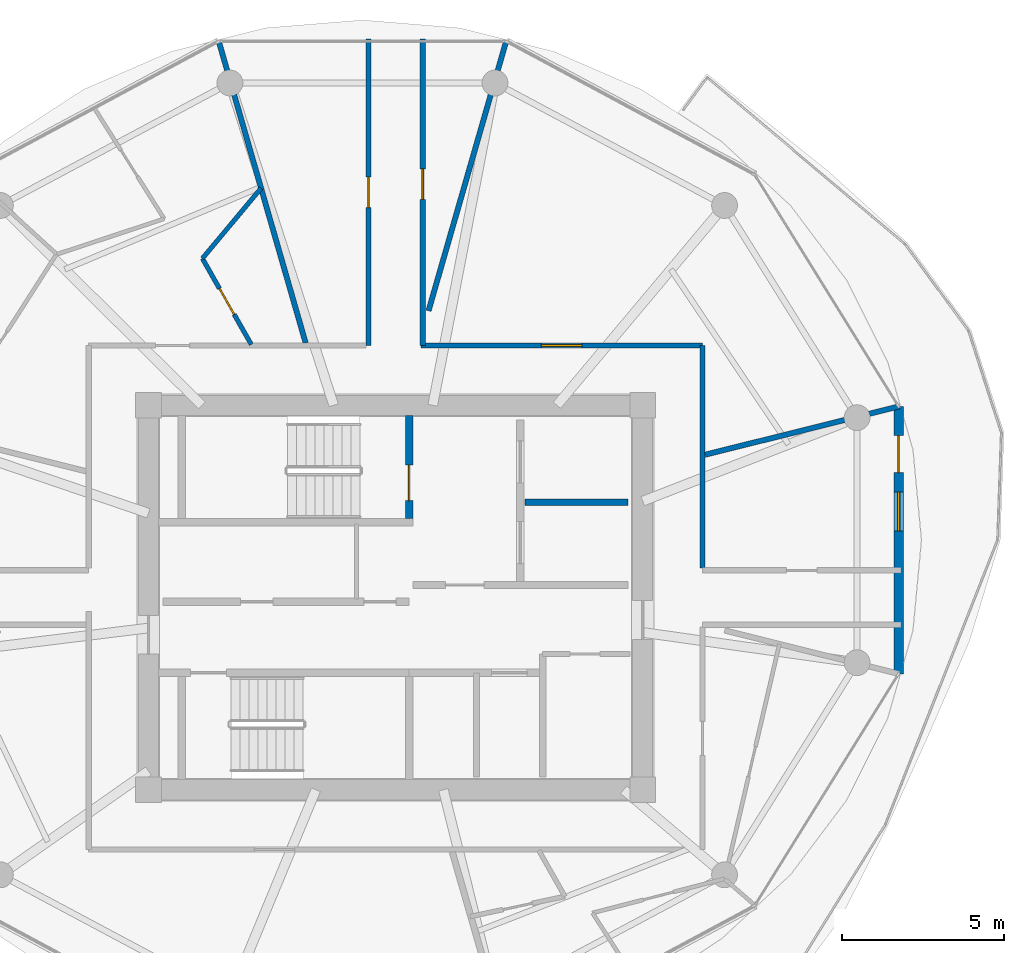
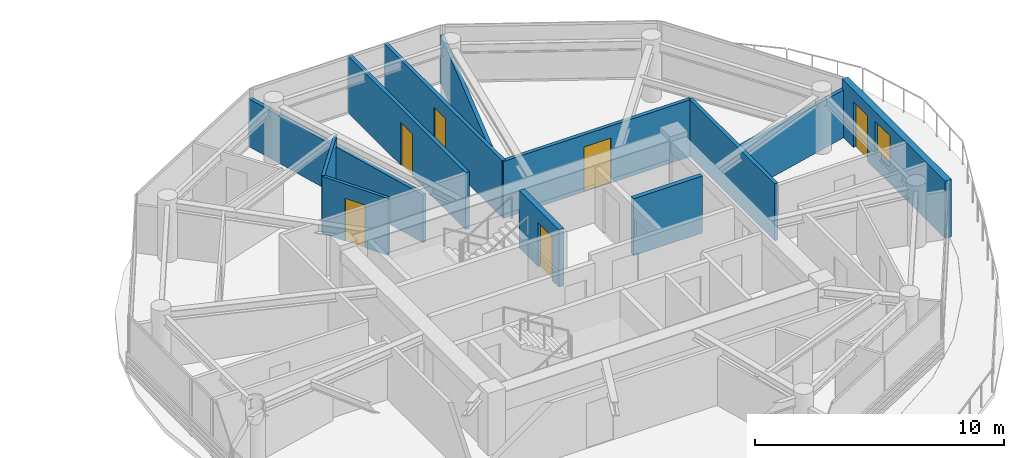
# One storey, part 17 of 23: 12 walls, 6 doors, 1 window, 7 openings.
"""IFC4 building model written with IfcOpenShell, lengths in metres."""

from ifc_helpers import new_model, si_unit, direction, frame, frame_2d, origin, place, context, subcontext, project, spatial, rectangle, extrude, source, transform, mapped, material, layer, layer_set, type_object, type_shapes, element, fill, save


model = new_model("IFC4")

# Units and contexts
model_context = context("Model", 3, precision=1e-05, world=origin(), true_north=direction((0.0, 1.0)))
body_context = subcontext(model_context, "Body", "Model", "MODEL_VIEW")
ifc_project = project(units=[si_unit("LENGTHUNIT", "METRE"), si_unit("AREAUNIT", "SQUARE_METRE"), si_unit("VOLUMEUNIT", "CUBIC_METRE"), si_unit("PLANEANGLEUNIT", "RADIAN"), si_unit("MASSUNIT", "GRAM", prefix="KILO")], contexts=[model_context])

# Site, building, storey
site_placement = place(None, origin())
site = spatial("IfcSite", under=ifc_project, at=site_placement, CompositionType="ELEMENT")
building_placement = place(site_placement, origin())
building = spatial("IfcBuilding", under=site, at=building_placement, Name="Norrkilde Senior Care Towers", CompositionType="ELEMENT")
storey_placement = place(building_placement, frame((0.0, 0.0, 158.699951171875)))
storey = spatial("IfcBuildingStorey", under=building, at=storey_placement, Name="L49", CompositionType="ELEMENT", Elevation=158.699951171875)

# Wall, openings, door, window
ifc_material_1 = material(Name="Precast concrete C45/55", Category="concrete")
ifc_layer_1 = layer(ifc_material_1, 0.2900390625)
ifc_layer_set_1 = layer_set([ifc_layer_1], Name="Precast concrete C45/55")
wall_type_1 = type_object("IfcWallType", Name="Winter Garden Facade Wall 290", PredefinedType="SOLIDWALL", material=ifc_layer_set_1)
shared_shape_1 = source(origin(), body_context, "Body", "SweptSolid", [
    extrude(rectangle(XDim=8.27197265625, YDim=0.2900390625, at=frame_2d((4.135986328125, 0.0))), origin(), (0.0, 0.0, 1.0), 2.81005859375),
])
type_shapes(wall_type_1, [shared_shape_1])
wall_1_placement = place(storey_placement, frame((43.569580078125, 5.911376953125, 0.0), z_axis=(0.0, 0.0, 1.0), x_axis=(0.0, -1.0, 0.0)))
wall_1 = element("IfcWall", 1, at=wall_1_placement, inside=storey, type_object=wall_type_1, Name="L49 Drum E Balcony Access Wall 11", PredefinedType="SOLIDWALL", context=body_context, shape_type="MappedRepresentation", body=[
    mapped(shared_shape_1, transform((0.0, 0.0, 0.0), x_axis=(1.0, 0.0, 0.0), y_axis=(0.0, 1.0, 0.0), z_axis=(0.0, 0.0, 1.0), scale=1.0)),
])
opening_1_placement = place(wall_1_placement, frame((0.89990234375, 0.0, 0.0)))
opening_1 = element("IfcOpeningElement", 2, at=opening_1_placement, cuts=wall_1, Name="Opening D-09", PredefinedType="OPENING", context=body_context, shape_type="SweptSolid", body=[
    extrude(rectangle(XDim=1.14990234375, YDim=2.25, at=frame_2d((0.574951171875, 1.125))), frame((0.0, 0.155029296875, 0.0), z_axis=(0.0, -1.0, 0.0), x_axis=(1.0, 0.0, 0.0)), (0.0, 0.0, 1.0), 0.31005859375),
])
opening_2_placement = place(wall_1_placement, frame((2.64990234375, 0.0, 0.85009765625)))
opening_2 = element("IfcOpeningElement", 3, at=opening_2_placement, cuts=wall_1, Name="Opening WN-07", PredefinedType="OPENING", context=body_context, shape_type="SweptSolid", body=[
    extrude(rectangle(XDim=1.199951171875, YDim=1.5, at=frame_2d((0.60009765625, 0.75))), frame((0.0, 0.155029296875, 0.0), z_axis=(0.0, -1.0, 0.0), x_axis=(1.0, 0.0, 0.0)), (0.0, 0.0, 1.0), 0.31005859375),
])
ifc_material_2 = material(Name="Anodised Aluminium", Category="aluminium")
door_type_1 = type_object("IfcDoorType", Name="Terrace and Balcony Glazed Door 1150x2250", OperationType="NOTDEFINED", PredefinedType="DOOR", material=ifc_material_2)
shared_shape_2 = source(origin(), body_context, "Body", "SweptSolid", [
    extrude(rectangle(XDim=1.14990234375, YDim=2.25, at=frame_2d((0.574951171875, 1.125))), frame((0.0, 0.02490234375, 0.0), z_axis=(0.0, -1.0, 0.0), x_axis=(1.0, 0.0, 0.0)), (0.0, 0.0, 1.0), 0.050048828125),
])
type_shapes(door_type_1, [shared_shape_2])
door_1_placement = place(opening_1_placement, origin())
door_1 = element("IfcDoor", 4, at=door_1_placement, inside=storey, type_object=door_type_1, Name="L49 Drum E Outdoor Terrace Door 11", OperationType="SINGLE_SWING_RIGHT", OverallHeight=2.25, OverallWidth=1.14990234375, PredefinedType="DOOR", context=body_context, shape_type="MappedRepresentation", body=[
    mapped(shared_shape_2, transform((0.0, 0.0, 0.0), x_axis=(1.0, 0.0, 0.0), y_axis=(0.0, 1.0, 0.0), z_axis=(0.0, 0.0, 1.0), scale=1.0)),
])
fill(opening_1, door_1)
ifc_material_3 = material(Name="Triple Low-E Insulated Glazing", Category="glass")
window_type = type_object("IfcWindowType", Name="Stairwell Smoke Vent Window 1200x1500", PartitioningType="SINGLE_PANEL", PredefinedType="WINDOW", material=ifc_material_3)
shared_shape_3 = source(origin(), body_context, "Body", "SweptSolid", [
    extrude(rectangle(XDim=1.199951171875, YDim=1.5, at=frame_2d((0.60009765625, 0.75))), frame((0.0, 0.030029296875, 0.0), z_axis=(0.0, -1.0, 0.0), x_axis=(1.0, 0.0, 0.0)), (0.0, 0.0, 1.0), 0.06005859375),
])
type_shapes(window_type, [shared_shape_3])
window_placement = place(opening_2_placement, origin())
window = element("IfcWindow", 5, at=window_placement, inside=storey, type_object=window_type, Name="L49 Drum E Winter Garden Window 11", OverallHeight=1.5, OverallWidth=1.199951171875, PartitioningType="SINGLE_PANEL", PredefinedType="WINDOW", context=body_context, shape_type="MappedRepresentation", body=[
    mapped(shared_shape_3, transform((0.0, 0.0, 0.0), x_axis=(1.0, 0.0, 0.0), y_axis=(0.0, 1.0, 0.0), z_axis=(0.0, 0.0, 1.0), scale=1.0)),
])
fill(opening_2, window)

# Wall, opening, door
ifc_material_4 = material(Name="Concrete C45/55", Category="concrete")
ifc_layer_2 = layer(ifc_material_4, 0.239990234375)
ifc_layer_set_2 = layer_set([ifc_layer_2], Name="Concrete C45/55")
wall_type_2 = type_object("IfcWallType", Name="Shaft and Stair Enclosure Wall 240", PredefinedType="PARTITIONING", material=ifc_layer_set_2)
shared_shape_4 = source(origin(), body_context, "Body", "SweptSolid", [
    extrude(rectangle(XDim=3.18994140625, YDim=0.239990234375, at=frame_2d((1.594970703125, 0.0))), origin(), (0.0, 0.0, 1.0), 2.81005859375),
])
type_shapes(wall_type_2, [shared_shape_4])
wall_2_placement = place(storey_placement, frame((28.419921875, 2.449951171875, 0.0), z_axis=(0.0, 0.0, 1.0), x_axis=(0.0, 1.0, 0.0)))
wall_2 = element("IfcWall", 6, at=wall_2_placement, inside=storey, type_object=wall_type_2, Name="WL-INT-L49-E-ST1E", PredefinedType="PARTITIONING", context=body_context, shape_type="MappedRepresentation", body=[
    mapped(shared_shape_4, transform((0.0, 0.0, 0.0), x_axis=(1.0, 0.0, 0.0), y_axis=(0.0, 1.0, 0.0), z_axis=(0.0, 0.0, 1.0), scale=1.0)),
])
opening_3_placement = place(wall_2_placement, frame((0.550048828125, 0.0, 0.0)))
opening_3 = element("IfcOpeningElement", 7, at=opening_3_placement, cuts=wall_2, Name="Opening D-03", PredefinedType="OPENING", context=body_context, shape_type="SweptSolid", body=[
    extrude(rectangle(XDim=1.10009765625, YDim=2.14990234375, at=frame_2d((0.550048828125, 1.074951171875))), frame((0.0, 0.1298828125, 0.0), z_axis=(0.0, -1.0, 0.0), x_axis=(1.0, 0.0, 0.0)), (0.0, 0.0, 1.0), 0.260009765625),
])
ifc_material_5 = material(Name="Galvanised Painted Steel", Category="steel")
door_type_2 = type_object("IfcDoorType", Name="Stairwell Protected Fire Door 1100x2150", OperationType="NOTDEFINED", PredefinedType="DOOR", material=ifc_material_5)
shared_shape_5 = source(origin(), body_context, "Body", "SweptSolid", [
    extrude(rectangle(XDim=1.10009765625, YDim=2.14990234375, at=frame_2d((0.550048828125, 1.074951171875))), frame((0.0, 0.02490234375, 0.0), z_axis=(0.0, -1.0, 0.0), x_axis=(1.0, 0.0, 0.0)), (0.0, 0.0, 1.0), 0.050048828125),
])
type_shapes(door_type_2, [shared_shape_5])
door_2_placement = place(opening_3_placement, origin())
door_2 = element("IfcDoor", 8, at=door_2_placement, inside=storey, type_object=door_type_2, Name="L49 Stair E1 Fire Door", OperationType="SINGLE_SWING_LEFT", OverallHeight=2.14990234375, OverallWidth=1.10009765625, PredefinedType="DOOR", context=body_context, shape_type="MappedRepresentation", body=[
    mapped(shared_shape_5, transform((0.0, 0.0, 0.0), x_axis=(1.0, 0.0, 0.0), y_axis=(0.0, 1.0, 0.0), z_axis=(0.0, 0.0, 1.0), scale=1.0)),
])
fill(opening_3, door_2)

# Walls
ifc_material_6 = material(Name="Gypsum Acoustic Board")
ifc_layer_3 = layer(ifc_material_6, 0.1650390625)
ifc_layer_set_3 = layer_set([ifc_layer_3], Name="Gypsum Acoustic Board")
wall_type_3 = type_object("IfcWallType", Name="Corridor Rated Partition 165", PredefinedType="PARTITIONING", material=ifc_layer_set_3)
shared_shape_6 = source(origin(), body_context, "Body", "SweptSolid", [
    extrude(rectangle(XDim=9.73046875, YDim=0.1650390625, at=frame_2d((4.865234375, 0.0))), origin(), (0.0, 0.0, 1.0), 2.344970703125),
])
wall_3_placement = place(storey_placement, frame((25.216552734375, 7.8798828125, 0.0), z_axis=(0.0, 0.0, 1.0), x_axis=(-0.27679492614, 0.960929013436, 0.0)))
element("IfcWall", 9, at=wall_3_placement, inside=storey, type_object=wall_type_3, Name="WL-INT-L49-E-DEM-03-0", PredefinedType="PARTITIONING", context=body_context, shape_type="MappedRepresentation", body=[
    mapped(shared_shape_6, transform((0.0, 0.0, 0.0), x_axis=(1.0, 0.0, 0.0), y_axis=(0.0, 1.0, 0.0), z_axis=(0.0, 0.0, 1.0), scale=1.0)),
])
ifc_layer_4 = layer(ifc_material_4, 0.199951171875)
ifc_layer_set_4 = layer_set([ifc_layer_4], Name="Concrete C45/55")
wall_type_4 = type_object("IfcWallType", Name="Shaft Division and Plant Partition 200", PredefinedType="PARTITIONING", material=ifc_layer_set_4)
shared_shape_7 = source(origin(), body_context, "Body", "SweptSolid", [
    extrude(rectangle(XDim=3.199951171875, YDim=0.199951171875, at=frame_2d((1.60009765625, 0.0))), origin(), (0.0, 0.0, 1.0), 2.795166015625),
])
type_shapes(wall_type_4, [shared_shape_7])
wall_4_placement = place(storey_placement, frame((32.0, 2.949951171875, 0.0), z_axis=(0.0, 0.0, 1.0), x_axis=(1.0, 0.0, 0.0)))
element("IfcWall", 10, at=wall_4_placement, inside=storey, type_object=wall_type_4, Name="WL-INT-L49-E-FFLDIV", PredefinedType="PARTITIONING", context=body_context, shape_type="MappedRepresentation", body=[
    mapped(shared_shape_7, transform((0.0, 0.0, 0.0), x_axis=(1.0, 0.0, 0.0), y_axis=(0.0, 1.0, 0.0), z_axis=(0.0, 0.0, 1.0), scale=1.0)),
])

# Wall, opening, door
shared_shape_8 = source(origin(), body_context, "Body", "SweptSolid", [
    extrude(rectangle(XDim=8.719482421875, YDim=0.1650390625, at=frame_2d((4.35986328125, 0.0))), origin(), (0.0, 0.0, 1.0), 2.795166015625),
])
wall_5_placement = place(storey_placement, frame((28.780517578125, 7.800048828125, 0.0), z_axis=(0.0, 0.0, 1.0), x_axis=(1.0, 0.0, 0.0)))
wall_5 = element("IfcWall", 11, at=wall_5_placement, inside=storey, type_object=wall_type_3, Name="WL-INT-L49-E-CRW-N-1", PredefinedType="PARTITIONING", context=body_context, shape_type="MappedRepresentation", body=[
    mapped(shared_shape_8, transform((0.0, 0.0, 0.0), x_axis=(1.0, 0.0, 0.0), y_axis=(0.0, 1.0, 0.0), z_axis=(0.0, 0.0, 1.0), scale=1.0)),
])
opening_4_placement = place(wall_5_placement, frame((3.73486328125, 0.0, 0.0)))
opening_4 = element("IfcOpeningElement", 12, at=opening_4_placement, cuts=wall_5, Name="Opening D-05", PredefinedType="OPENING", context=body_context, shape_type="SweptSolid", body=[
    extrude(rectangle(XDim=1.25, YDim=2.199951171875, at=frame_2d((0.625, 1.10009765625))), frame((0.0, 0.092529296875, 0.0), z_axis=(0.0, -1.0, 0.0), x_axis=(1.0, 0.0, 0.0)), (0.0, 0.0, 1.0), 0.18505859375),
])
ifc_material_7 = material(Name="Nordic Ash Timber", Category="wood")
door_type_3 = type_object("IfcDoorType", Name="Care Bedroom Bariatric Door 1250x2200", OperationType="NOTDEFINED", PredefinedType="DOOR", material=ifc_material_7)
shared_shape_9 = source(origin(), body_context, "Body", "SweptSolid", [
    extrude(rectangle(XDim=1.25, YDim=2.199951171875, at=frame_2d((0.625, 1.10009765625))), frame((0.0, 0.02490234375, 0.0), z_axis=(0.0, -1.0, 0.0), x_axis=(1.0, 0.0, 0.0)), (0.0, 0.0, 1.0), 0.050048828125),
])
type_shapes(door_type_3, [shared_shape_9])
door_3_placement = place(opening_4_placement, frame((1.25, 0.0, 0.0), z_axis=(0.0, 0.0, 1.0), x_axis=(-1.0, 0.0, 0.0)))
door_3 = element("IfcDoor", 13, at=door_3_placement, inside=storey, type_object=door_type_3, Name="L49 Senior Wellness Library Lounge Door", OperationType="SINGLE_SWING_LEFT", OverallHeight=2.199951171875, OverallWidth=1.25, PredefinedType="DOOR", context=body_context, shape_type="MappedRepresentation", body=[
    mapped(shared_shape_9, transform((0.0, 0.0, 0.0), x_axis=(1.0, 0.0, 0.0), y_axis=(0.0, 1.0, 0.0), z_axis=(0.0, 0.0, 1.0), scale=1.0)),
])
fill(opening_4, door_3)

# Walls
shared_shape_10 = source(origin(), body_context, "Body", "SweptSolid", [
    extrude(rectangle(XDim=6.880126953125, YDim=0.1650390625, at=frame_2d((3.43994140625, 0.0))), origin(), (0.0, 0.0, 1.0), 2.795166015625),
])
wall_6_placement = place(storey_placement, frame((37.5, 7.800048828125, 0.0), z_axis=(0.0, 0.0, 1.0), x_axis=(0.0, -1.0, 0.0)))
element("IfcWall", 14, at=wall_6_placement, inside=storey, type_object=wall_type_3, Name="WL-INT-L49-E-CRW-E-0", PredefinedType="PARTITIONING", context=body_context, shape_type="MappedRepresentation", body=[
    mapped(shared_shape_10, transform((0.0, 0.0, 0.0), x_axis=(1.0, 0.0, 0.0), y_axis=(0.0, 1.0, 0.0), z_axis=(0.0, 0.0, 1.0), scale=1.0)),
])
shared_shape_11 = source(origin(), body_context, "Body", "SweptSolid", [
    extrude(rectangle(XDim=8.695068359375, YDim=0.1650390625, at=frame_2d((4.34765625, 0.0))), origin(), (0.0, 0.0, 1.0), 2.344970703125),
])
wall_7_placement = place(storey_placement, frame((29.02001953125, 8.875, 0.0), z_axis=(0.0, 0.0, 1.0), x_axis=(0.276797231892, 0.960928349263, 0.0)))
element("IfcWall", 15, at=wall_7_placement, inside=storey, type_object=wall_type_3, Name="WL-INT-L49-E-DEM-02-0", PredefinedType="PARTITIONING", context=body_context, shape_type="MappedRepresentation", body=[
    mapped(shared_shape_11, transform((0.0, 0.0, 0.0), x_axis=(1.0, 0.0, 0.0), y_axis=(0.0, 1.0, 0.0), z_axis=(0.0, 0.0, 1.0), scale=1.0)),
])
shared_shape_12 = source(origin(), body_context, "Body", "SweptSolid", [
    extrude(rectangle(XDim=6.192626953125, YDim=0.1650390625, at=frame_2d((3.09619140625, 0.0))), origin(), (0.0, 0.0, 1.0), 2.344970703125),
])
wall_8_placement = place(storey_placement, frame((37.580078125, 4.418701171875, 0.0), z_axis=(0.0, 0.0, 1.0), x_axis=(0.970309243466, 0.241867674657, 0.0)))
element("IfcWall", 16, at=wall_8_placement, inside=storey, type_object=wall_type_3, Name="WL-INT-L49-E-DEM-00-0", PredefinedType="PARTITIONING", context=body_context, shape_type="MappedRepresentation", body=[
    mapped(shared_shape_12, transform((0.0, 0.0, 0.0), x_axis=(1.0, 0.0, 0.0), y_axis=(0.0, 1.0, 0.0), z_axis=(0.0, 0.0, 1.0), scale=1.0)),
])

# Wall, opening, door
shared_shape_13 = source(origin(), body_context, "Body", "SweptSolid", [
    extrude(rectangle(XDim=9.480224609375, YDim=0.1650390625, at=frame_2d((4.740234375, 0.0))), origin(), (0.0, 0.0, 1.0), 2.795166015625),
])
type_shapes(wall_type_3, [shared_shape_6, shared_shape_8, shared_shape_10, shared_shape_11, shared_shape_12, shared_shape_13])
wall_9_placement = place(storey_placement, frame((27.159912109375, 7.800048828125, 0.0), z_axis=(0.0, 0.0, 1.0), x_axis=(0.0, 1.0, 0.0)))
wall_9 = element("IfcWall", 17, at=wall_9_placement, inside=storey, type_object=wall_type_3, Name="WL-INT-L49-E-SPK-N1-0", PredefinedType="PARTITIONING", context=body_context, shape_type="MappedRepresentation", body=[
    mapped(shared_shape_13, transform((0.0, 0.0, 0.0), x_axis=(1.0, 0.0, 0.0), y_axis=(0.0, 1.0, 0.0), z_axis=(0.0, 0.0, 1.0), scale=1.0)),
])
opening_5_placement = place(wall_9_placement, frame((4.26513671875, 0.0, 0.0)))
opening_5 = element("IfcOpeningElement", 18, at=opening_5_placement, cuts=wall_9, Name="Opening D-07", PredefinedType="OPENING", context=body_context, shape_type="SweptSolid", body=[
    extrude(rectangle(XDim=0.949951171875, YDim=2.10009765625, at=frame_2d((0.47509765625, 1.050048828125))), frame((0.0, 0.092529296875, 0.0), z_axis=(0.0, -1.0, 0.0), x_axis=(1.0, 0.0, 0.0)), (0.0, 0.0, 1.0), 0.18505859375),
])
door_type_4 = type_object("IfcDoorType", Name="Internal Suite Bedroom Door 950x2100", OperationType="NOTDEFINED", PredefinedType="DOOR", material=ifc_material_7)
shared_shape_14 = source(origin(), body_context, "Body", "SweptSolid", [
    extrude(rectangle(XDim=0.949951171875, YDim=2.10009765625, at=frame_2d((0.47509765625, 1.050048828125))), frame((0.0, 0.02490234375, 0.0), z_axis=(0.0, -1.0, 0.0), x_axis=(1.0, 0.0, 0.0)), (0.0, 0.0, 1.0), 0.050048828125),
])
type_shapes(door_type_4, [shared_shape_14])
door_4_placement = place(opening_5_placement, frame((0.949951171875, 0.0, 0.0), z_axis=(0.0, 0.0, 1.0), x_axis=(-1.0, 0.0, 0.0)))
door_4 = element("IfcDoor", 19, at=door_4_placement, inside=storey, type_object=door_type_4, Name="L49 Sun Reading Lounge 3 Door", OperationType="SINGLE_SWING_RIGHT", OverallHeight=2.10009765625, OverallWidth=0.949951171875, PredefinedType="DOOR", context=body_context, shape_type="MappedRepresentation", body=[
    mapped(shared_shape_14, transform((0.0, 0.0, 0.0), x_axis=(1.0, 0.0, 0.0), y_axis=(0.0, 1.0, 0.0), z_axis=(0.0, 0.0, 1.0), scale=1.0)),
])
fill(opening_5, door_4)

wall_10_placement = place(storey_placement, frame((28.840087890625, 17.2802734375, 0.0), z_axis=(0.0, 0.0, 1.0), x_axis=(0.0, -1.0, 0.0)))
wall_10 = element("IfcWall", 20, at=wall_10_placement, inside=storey, type_object=wall_type_3, Name="WL-INT-L49-E-SPK-N2-0", PredefinedType="PARTITIONING", context=body_context, shape_type="MappedRepresentation", body=[
    mapped(shared_shape_13, transform((0.0, 0.0, 0.0), x_axis=(1.0, 0.0, 0.0), y_axis=(0.0, 1.0, 0.0), z_axis=(0.0, 0.0, 1.0), scale=1.0)),
])
opening_6_placement = place(wall_10_placement, frame((4.009765625, 0.0, 0.0)))
opening_6 = element("IfcOpeningElement", 21, at=opening_6_placement, cuts=wall_10, Name="Opening D-07", PredefinedType="OPENING", context=body_context, shape_type="SweptSolid", body=[
    extrude(rectangle(XDim=0.949951171875, YDim=2.10009765625, at=frame_2d((0.47509765625, 1.050048828125))), frame((0.0, 0.092529296875, 0.0), z_axis=(0.0, -1.0, 0.0), x_axis=(1.0, 0.0, 0.0)), (0.0, 0.0, 1.0), 0.18505859375),
])
door_5_placement = place(opening_6_placement, frame((0.949951171875, 0.0, 0.0), z_axis=(0.0, 0.0, 1.0), x_axis=(-1.0, 0.0, 0.0)))
door_5 = element("IfcDoor", 22, at=door_5_placement, inside=storey, type_object=door_type_4, Name="L49 Sun Reading Lounge 4 Door", OperationType="SINGLE_SWING_LEFT", OverallHeight=2.10009765625, OverallWidth=0.949951171875, PredefinedType="DOOR", context=body_context, shape_type="MappedRepresentation", body=[
    mapped(shared_shape_14, transform((0.0, 0.0, 0.0), x_axis=(1.0, 0.0, 0.0), y_axis=(0.0, 1.0, 0.0), z_axis=(0.0, 0.0, 1.0), scale=1.0)),
])
fill(opening_6, door_5)

ifc_layer_5 = layer(ifc_material_6, 0.139892578125)
ifc_layer_set_5 = layer_set([ifc_layer_5], Name="Gypsum Acoustic Board")
wall_type_5 = type_object("IfcWallType", Name="En-suite Wet Room Wall 140", PredefinedType="PARTITIONING", material=ifc_layer_set_5)
shared_shape_15 = source(origin(), body_context, "Body", "SweptSolid", [
    extrude(rectangle(XDim=3.06396484375, YDim=0.139892578125, at=frame_2d((1.531982421875, 0.0))), origin(), (0.0, 0.0, 1.0), 2.795166015625),
])
wall_11_placement = place(storey_placement, frame((23.5341796875, 7.830078125, 0.0), z_axis=(0.0, 0.0, 1.0), x_axis=(-0.494103864861, 0.869402881712, 0.0)))
wall_11 = element("IfcWall", 23, at=wall_11_placement, inside=storey, type_object=wall_type_5, Name="WL-INT-L49-E-UBTS-03", PredefinedType="PARTITIONING", context=body_context, shape_type="MappedRepresentation", body=[
    mapped(shared_shape_15, transform((0.0, 0.0, 0.0), x_axis=(1.0, 0.0, 0.0), y_axis=(0.0, 1.0, 0.0), z_axis=(0.0, 0.0, 1.0), scale=1.0)),
])
opening_7_placement = place(wall_11_placement, frame((1.072021484375, 0.0, 0.0)))
opening_7 = element("IfcOpeningElement", 24, at=opening_7_placement, cuts=wall_11, Name="Opening D-08", PredefinedType="OPENING", context=body_context, shape_type="SweptSolid", body=[
    extrude(rectangle(XDim=0.919921875, YDim=2.10009765625, at=frame_2d((0.4599609375, 1.050048828125))), frame((0.0, 0.079833984375, 0.0), z_axis=(0.0, -1.0, 0.0), x_axis=(1.0, 0.0, 0.0)), (0.0, 0.0, 1.0), 0.159912109375),
])
door_type_5 = type_object("IfcDoorType", Name="Accessible Wet Room Door 920x2100", OperationType="NOTDEFINED", PredefinedType="DOOR", material=ifc_material_7)
shared_shape_16 = source(origin(), body_context, "Body", "SweptSolid", [
    extrude(rectangle(XDim=0.919921875, YDim=2.10009765625, at=frame_2d((0.4599609375, 1.050048828125))), frame((0.0, 0.02490234375, 0.0), z_axis=(0.0, -1.0, 0.0), x_axis=(1.0, 0.0, 0.0)), (0.0, 0.0, 1.0), 0.050048828125),
])
type_shapes(door_type_5, [shared_shape_16])
door_6_placement = place(opening_7_placement, origin())
door_6 = element("IfcDoor", 25, at=door_6_placement, inside=storey, type_object=door_type_5, Name="Apartment 49B Bathroom Door", OperationType="SINGLE_SWING_LEFT", OverallHeight=2.10009765625, OverallWidth=0.919921875, PredefinedType="DOOR", context=body_context, shape_type="MappedRepresentation", body=[
    mapped(shared_shape_16, transform((0.0, 0.0, 0.0), x_axis=(1.0, 0.0, 0.0), y_axis=(0.0, 1.0, 0.0), z_axis=(0.0, 0.0, 1.0), scale=1.0)),
])
fill(opening_7, door_6)

# Wall
shared_shape_17 = source(origin(), body_context, "Body", "SweptSolid", [
    extrude(rectangle(XDim=2.83349609375, YDim=0.139892578125, at=frame_2d((1.416748046875, 0.0))), origin(), (0.0, 0.0, 1.0), 2.795166015625),
])
type_shapes(wall_type_5, [shared_shape_15, shared_shape_17])
wall_12_placement = place(storey_placement, frame((22.020263671875, 10.493896484375, 0.0), z_axis=(0.0, 0.0, 1.0), x_axis=(0.64098072766, 0.767556972979, 0.0)))
element("IfcWall", 26, at=wall_12_placement, inside=storey, type_object=wall_type_5, Name="WL-INT-L49-E-UBTF-03", PredefinedType="PARTITIONING", context=body_context, shape_type="MappedRepresentation", body=[
    mapped(shared_shape_17, transform((0.0, 0.0, 0.0), x_axis=(1.0, 0.0, 0.0), y_axis=(0.0, 1.0, 0.0), z_axis=(0.0, 0.0, 1.0), scale=1.0)),
])

save(model, "model.ifc")
